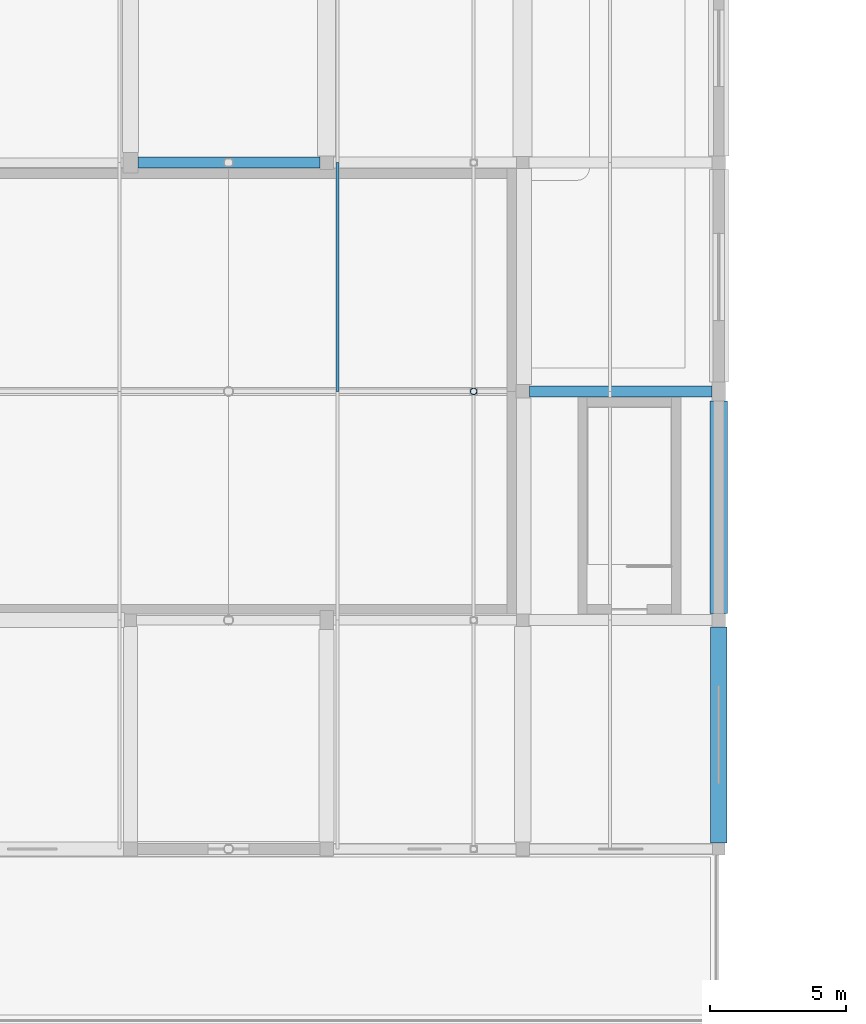
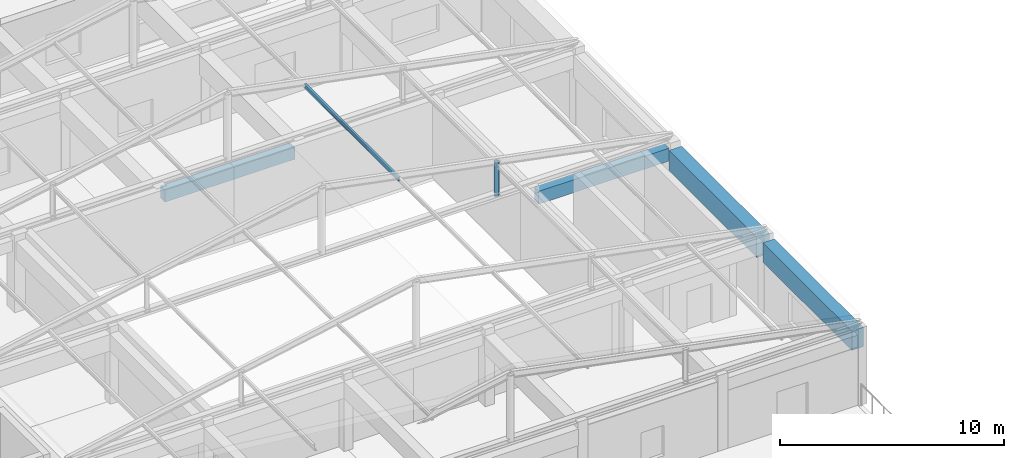
# One storey, part 42 of 74: 4 beams, 2 members.
"""IFC4 building model written with IfcOpenShell, lengths in metres."""

import ifcopenshell
import ifcopenshell.guid

model = None  # the IFC model being written
_history = None  # IfcOwnerHistory: only IFC2X3 demands one
_inside = {}  # id of a spatial element -> (the spatial element, [elements in it])
_under = {}  # id of a project, library or spatial element -> (it, [spatial elements below it])
_declared = {}  # id of a project -> (the project, [libraries it declares])
_typed = {}  # id of a type object -> (the type object, [elements of that type])
_made_of = {}  # id of a material, layer set ... -> (it, [elements and type objects made of it])


def new_model(schema):
    """Start an empty IFC model of exactly this schema.

    Asked for "IFC4X3", IfcOpenShell would pick the latest addendum, in which some entities
    have other attributes; the version numbers below select the first issue.
    IFC2X3 requires an IfcOwnerHistory on every rooted entity: one is made here for all.
    """
    global model, _history
    if schema == "IFC4X3":
        model = ifcopenshell.file(schema_version=(4, 3, 0, 0))
    else:
        model = ifcopenshell.file(schema=schema)
    _inside.clear()
    _under.clear()
    _declared.clear()
    _typed.clear()
    _made_of.clear()
    _history = None
    if model.schema == "IFC2X3":
        org = make("IfcOrganization", Name="unknown")
        user = make(
            "IfcPersonAndOrganization",
            ThePerson=make("IfcPerson", FamilyName="unknown"),
            TheOrganization=org,
        )
        app = make(
            "IfcApplication",
            ApplicationDeveloper=org,
            Version="unknown",
            ApplicationFullName="unknown",
            ApplicationIdentifier="unknown",
        )
        _history = make(
            "IfcOwnerHistory",
            OwningUser=user,
            OwningApplication=app,
            ChangeAction="ADDED",
            CreationDate=0,
        )
    return model


def make(cls, **values):
    """One entity of the class cls with the attributes given. An attribute that is None is left unset."""
    return model.create_entity(
        cls, **{name: value for name, value in values.items() if value is not None}
    )


def rooted(cls, **values):
    """An entity with a GlobalId (a new one), such as an element, a storey or a relation."""
    return make(cls, GlobalId=ifcopenshell.guid.new(), OwnerHistory=_history, **values)


def si_unit(unit_type, name, prefix=None):
    """IfcSIUnit, for example si_unit("LENGTHUNIT", "METRE", prefix="MILLI")."""
    return make("IfcSIUnit", UnitType=unit_type, Prefix=prefix, Name=name)


def assignment(units):
    """IfcUnitAssignment: the units of a project."""
    return None if units is None else make("IfcUnitAssignment", Units=units)


def point(xyz):
    """IfcCartesianPoint."""
    return None if xyz is None else make("IfcCartesianPoint", Coordinates=xyz)


def direction(xyz):
    """IfcDirection."""
    return None if xyz is None else make("IfcDirection", DirectionRatios=xyz)


def frame(location, z_axis=None, x_axis=None):
    """IfcAxis2Placement3D, a coordinate frame: its origin and axes. An axis left out is left unset."""
    return make(
        "IfcAxis2Placement3D",
        Location=point(location),
        Axis=direction(z_axis),
        RefDirection=direction(x_axis),
    )


def frame_2d(location, x_axis=None):
    """IfcAxis2Placement2D, a coordinate frame in the plane: its origin and x axis."""
    return make(
        "IfcAxis2Placement2D", Location=point(location), RefDirection=direction(x_axis)
    )


def origin():
    """The frame at (0, 0, 0) with its axes left unset."""
    return frame((0.0, 0.0, 0.0))


def origin_2d():
    """The frame at (0, 0) in the plane with its x axis left unset."""
    return frame_2d((0.0, 0.0))


def place(relative_to, where):
    """IfcLocalPlacement: puts the frame where relative to a parent placement (None: the world)."""
    return make(
        "IfcLocalPlacement", PlacementRelTo=relative_to, RelativePlacement=where
    )


def context(
    kind, dimensions, precision=None, world=None, true_north=None, identifier=None
):
    """IfcGeometricRepresentationContext, for example the 3D "Model" context."""
    return make(
        "IfcGeometricRepresentationContext",
        ContextIdentifier=identifier,
        ContextType=kind,
        CoordinateSpaceDimension=dimensions,
        Precision=precision,
        WorldCoordinateSystem=world,
        TrueNorth=true_north,
    )


def subcontext(parent, identifier, kind, view, scale=None):
    """IfcGeometricRepresentationSubContext, for example "Body" below "Model"."""
    return make(
        "IfcGeometricRepresentationSubContext",
        ContextIdentifier=identifier,
        ContextType=kind,
        ParentContext=parent,
        TargetScale=scale,
        TargetView=view,
    )


def project(units=None, contexts=None):
    """IfcProject with its units and contexts."""
    return rooted(
        "IfcProject",
        Name="project",
        RepresentationContexts=contexts,
        UnitsInContext=assignment(units),
    )


def spatial(cls, under=None, at=None, **own):
    """A site, building, storey or space (cls), placed at a placement, below another one or the project."""
    s = rooted(cls, ObjectPlacement=at, **own)
    if under is not None:
        _under.setdefault(under.id(), (under, []))[1].append(s)
    return s


def profile(cls, at=None, kind="AREA", **sizes):
    """A parametric profile (cls). Its sizes go by their IFC names, for example OverallWidth=200.0."""
    return make(cls, ProfileType=kind, Position=at, **sizes)


def rectangle(**sizes):
    """IfcRectangleProfileDef."""
    return profile("IfcRectangleProfileDef", **sizes)


def hollow_circle(**sizes):
    """IfcCircleHollowProfileDef."""
    return profile("IfcCircleHollowProfileDef", **sizes)


def i_section(**sizes):
    """IfcIShapeProfileDef."""
    return profile("IfcIShapeProfileDef", **sizes)


def extrude(swept, where, along, depth):
    """IfcExtrudedAreaSolid: the profile swept, set in the frame where, extruded along a direction by depth."""
    return make(
        "IfcExtrudedAreaSolid",
        SweptArea=swept,
        Position=where,
        ExtrudedDirection=direction(along),
        Depth=depth,
    )


def shape(context_of_items, identifier, shape_type, items):
    """IfcShapeRepresentation: the items that make up one representation, for example the "Body"."""
    return make(
        "IfcShapeRepresentation",
        ContextOfItems=context_of_items,
        RepresentationIdentifier=identifier,
        RepresentationType=shape_type,
        Items=items,
    )


def material(Name=None, Category=None):
    """IfcMaterial."""
    return make("IfcMaterial", Name=Name, Category=Category)


def material_profile(
    of_material, cross_section, Name=None, Category=None, Priority=None
):
    """IfcMaterialProfile: a cross section and its material."""
    return make(
        "IfcMaterialProfile",
        Name=Name,
        Material=of_material,
        Profile=cross_section,
        Priority=Priority,
        Category=Category,
    )


def profile_set(profiles, Name=None, composite=None):
    """IfcMaterialProfileSet."""
    return make(
        "IfcMaterialProfileSet",
        Name=Name,
        MaterialProfiles=profiles,
        CompositeProfile=composite,
    )


def made_of(thing, what):
    """Note that an element or type object is made of a material, layer set ...; save() writes the relation."""
    if what is not None:
        _made_of.setdefault(what.id(), (what, []))[1].append(thing)
    return thing


def type_object(cls, material=None, **own):
    """A type object (cls), such as IfcWallType, which elements share."""
    return made_of(rooted(cls, **own), material)


def element(
    cls,
    number,
    at=None,
    inside=None,
    cuts=None,
    type_object=None,
    material=None,
    context=None,
    identifier="Body",
    shape_type=None,
    held_by="IfcProductDefinitionShape",
    body=None,
    shapes=None,
    **own,
):
    """One element of the class cls, such as IfcWall. Its Tag is "e" and its number.

    at: its placement. inside: the storey or other place that contains it. cuts: it is an
    opening in that element (IfcRelVoidsElement). A single representation is given by context,
    identifier, shape_type and body (its items); several are given by shapes. held_by: the class
    of the entity that holds the representations. save() writes the other relations.
    """
    e = rooted(cls, Tag="e%d" % number, ObjectPlacement=at, **own)
    if body is not None:
        shapes = [shape(context, identifier, shape_type, body)]
    if shapes is not None:
        e.Representation = make(held_by, Representations=shapes)
    if inside is not None:
        _inside.setdefault(inside.id(), (inside, []))[1].append(e)
    if cuts is not None:
        rooted(
            "IfcRelVoidsElement", RelatingBuildingElement=cuts, RelatedOpeningElement=e
        )
    if type_object is not None:
        _typed.setdefault(type_object.id(), (type_object, []))[1].append(e)
    return made_of(e, material)


def aggregate(whole, parts):
    """IfcRelAggregates: a whole, such as a stair, and the parts it consists of."""
    return rooted("IfcRelAggregates", RelatingObject=whole, RelatedObjects=parts)


def save(model, path):
    """Write the relations noted so far, then the file.

    IfcRelAggregates (storeys below a building ...), IfcRelContainedInSpatialStructure (elements
    in a storey), IfcRelDefinesByType, IfcRelAssociatesMaterial and IfcRelDeclares: one each for
    every whole, place, type object, material and project.
    """
    for whole, parts in _under.values():
        aggregate(whole, parts)
    for where, things in _inside.values():
        rooted(
            "IfcRelContainedInSpatialStructure",
            RelatedElements=things,
            RelatingStructure=where,
        )
    for kind, things in _typed.values():
        rooted("IfcRelDefinesByType", RelatedObjects=things, RelatingType=kind)
    for what, things in _made_of.values():
        rooted("IfcRelAssociatesMaterial", RelatedObjects=things, RelatingMaterial=what)
    for by, libraries in _declared.values():
        rooted("IfcRelDeclares", RelatingContext=by, RelatedDefinitions=libraries)
    model.write(path)


model = new_model("IFC4")

# Units and contexts
model_context = context("Model", 3, precision=1e-05, world=origin(), true_north=direction((0.0, 1.0)))
body_context = subcontext(model_context, "Body", "Model", "MODEL_VIEW")
ifc_project = project(units=[si_unit("LENGTHUNIT", "METRE"), si_unit("AREAUNIT", "SQUARE_METRE"), si_unit("VOLUMEUNIT", "CUBIC_METRE"), si_unit("PLANEANGLEUNIT", "RADIAN"), si_unit("MASSUNIT", "GRAM", prefix="KILO")], contexts=[model_context])

# Site, building, storey
site_placement = place(None, origin())
site = spatial("IfcSite", under=ifc_project, at=site_placement, CompositionType="ELEMENT")
building_placement = place(site_placement, origin())
building = spatial("IfcBuilding", under=site, at=building_placement, Name="Korsvaeld Concert Hall", CompositionType="ELEMENT")
storey_placement = place(building_placement, frame((0.0, 0.0, 9.0)))
storey = spatial("IfcBuildingStorey", under=building, at=storey_placement, Name="L02", CompositionType="ELEMENT", Elevation=9.0)

# Beams
ifc_material_1 = material(Name="Concrete C35/45", Category="concrete")
ifc_material_profile_1 = material_profile(ifc_material_1, rectangle(XDim=0.39990234375, YDim=0.64990234375, at=origin_2d()), Name="RC 400x650")
ifc_profile_set_1 = profile_set([ifc_material_profile_1], Name="Concrete C35/45")
beam_type_1 = type_object("IfcBeamType", Name="BM-RC-400x650", PredefinedType="T_BEAM", material=ifc_profile_set_1)
beam_1_placement = place(storey_placement, frame((132.27490234375, 68.39990234375, 3.514892578125), z_axis=(1.0, 0.0, 0.0), x_axis=(0.0, 1.0, 0.0)))
element("IfcBeam", 1, at=beam_1_placement, inside=storey, type_object=beam_type_1, Name="Primary girder 18-19/K L02", PredefinedType="T_BEAM", context=body_context, shape_type="SweptSolid", body=[
    extrude(rectangle(XDim=0.39990234375, YDim=0.64990234375, at=origin_2d()), origin(), (0.0, 0.0, 1.0), 6.675048828125),
])
ifc_material_profile_2 = material_profile(ifc_material_1, rectangle(XDim=0.39990234375, YDim=0.699951171875, at=origin_2d()), Name="RC 400x700")
ifc_profile_set_2 = profile_set([ifc_material_profile_2], Name="Concrete C35/45")
beam_type_2 = type_object("IfcBeamType", Name="BM-RC-400x700", PredefinedType="T_BEAM", material=ifc_profile_set_2)
beam_2_placement = place(storey_placement, frame((146.64990234375, 60.0, 3.489990234375), z_axis=(1.0, 0.0, 0.0), x_axis=(0.0, 1.0, 0.0)))
element("IfcBeam", 2, at=beam_2_placement, inside=storey, type_object=beam_type_2, Name="Primary girder 20-21/J L02", PredefinedType="T_BEAM", context=body_context, shape_type="SweptSolid", body=[
    extrude(rectangle(XDim=0.39990234375, YDim=0.699951171875, at=origin_2d()), origin(), (0.0, 0.0, 1.0), 6.7001953125),
])
ifc_material_2 = material(Name="Concrete C40/50", Category="concrete")
ifc_material_profile_3 = material_profile(ifc_material_2, rectangle(XDim=0.60009765625, YDim=1.050048828125, at=origin_2d()), Name="RC 600x1050")
ifc_profile_set_3 = profile_set([ifc_material_profile_3], Name="Concrete C40/50")
beam_type_3 = type_object("IfcBeamType", Name="BM-RC-600x1050", PredefinedType="T_BEAM", material=ifc_profile_set_3)
beam_3_placement = place(storey_placement, frame((153.60009765625, 43.425048828125, 3.31494140625), z_axis=(0.0, 1.0, 0.0), x_axis=(-1.0, 0.0, 0.0)))
element("IfcBeam", 3, at=beam_3_placement, inside=storey, type_object=beam_type_3, Name="Primary girder 21/G-H L02", PredefinedType="T_BEAM", context=body_context, shape_type="SweptSolid", body=[
    extrude(rectangle(XDim=0.60009765625, YDim=1.050048828125, at=origin_2d()), origin(), (0.0, 0.0, 1.0), 7.925048828125),
])
ifc_material_profile_4 = material_profile(ifc_material_2, rectangle(XDim=0.64990234375, YDim=1.10009765625, at=origin_2d()), Name="RC 650x1100")
ifc_profile_set_4 = profile_set([ifc_material_profile_4], Name="Concrete C40/50")
beam_type_4 = type_object("IfcBeamType", Name="BM-RC-650x1100", PredefinedType="T_BEAM", material=ifc_profile_set_4)
beam_4_placement = place(storey_placement, frame((153.60009765625, 51.85009765625, 3.2900390625), z_axis=(0.0, 1.0, 0.0), x_axis=(-1.0, 0.0, 0.0)))
element("IfcBeam", 4, at=beam_4_placement, inside=storey, type_object=beam_type_4, Name="Primary girder 21/H-J L02", PredefinedType="T_BEAM", context=body_context, shape_type="SweptSolid", body=[
    extrude(rectangle(XDim=0.64990234375, YDim=1.10009765625, at=origin_2d()), origin(), (0.0, 0.0, 1.0), 7.7998046875),
])

# Members
ifc_material_3 = material(Name="Steel S355J2", Category="steel")
ifc_material_profile_5 = material_profile(ifc_material_3, i_section(OverallWidth=0.110107421875, OverallDepth=0.219970703125, WebThickness=0.005859375, FlangeThickness=0.00927734375, FilletRadius=0.011962890625, at=origin_2d()), Name="IPE 220")
ifc_profile_set_5 = profile_set([ifc_material_profile_5], Name="Steel S355J2")
member_type_1 = type_object("IfcMemberType", Name="MEM-PUR-IPE220", PredefinedType="PURLIN", material=ifc_profile_set_5)
member_1_placement = place(storey_placement, frame((139.60009765625, 60.0, 6.85009765625), z_axis=(0.0, 1.0, 0.0), x_axis=(-1.0, 0.0, 0.0)))
element("IfcMember", 5, at=member_1_placement, inside=storey, type_object=member_type_1, Name="Chamber Hall roof purlin 139.3", PredefinedType="PURLIN", context=body_context, shape_type="SweptSolid", body=[
    extrude(i_section(OverallWidth=0.110107421875, OverallDepth=0.219970703125, WebThickness=0.005859375, FlangeThickness=0.00927734375, FilletRadius=0.011962890625, at=origin_2d()), origin(), (0.0, 0.0, 1.0), 8.39990234375),
])
ifc_material_profile_6 = material_profile(ifc_material_3, hollow_circle(Radius=0.122314453125, WallThickness=0.012451171875, at=origin_2d()), Name="CHS 244.5x12.5")
ifc_profile_set_6 = profile_set([ifc_material_profile_6], Name="Steel S355J2")
member_type_2 = type_object("IfcMemberType", Name="MEM-STR-CHS244", PredefinedType="STRUT", material=ifc_profile_set_6)
member_2_placement = place(storey_placement, frame((144.60009765625, 60.0, 4.25), z_axis=(0.0, 0.0, 1.0), x_axis=(1.0, 0.0, 0.0)))
element("IfcMember", 6, at=member_2_placement, inside=storey, type_object=member_type_2, Name="Chamber Hall truss web 3.144", PredefinedType="STRUT", context=body_context, shape_type="SweptSolid", body=[
    extrude(hollow_circle(Radius=0.122314453125, WallThickness=0.012451171875, at=origin_2d()), origin(), (0.0, 0.0, 1.0), 1.85009765625),
])

save(model, "model.ifc")
